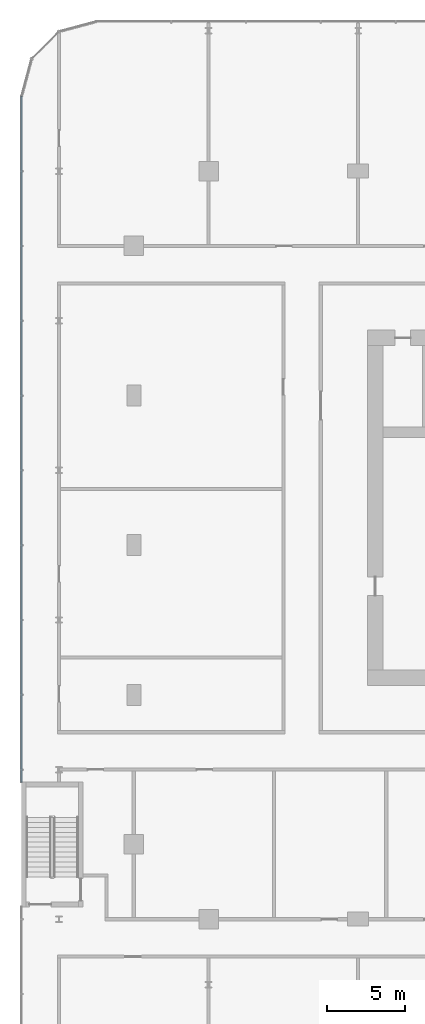
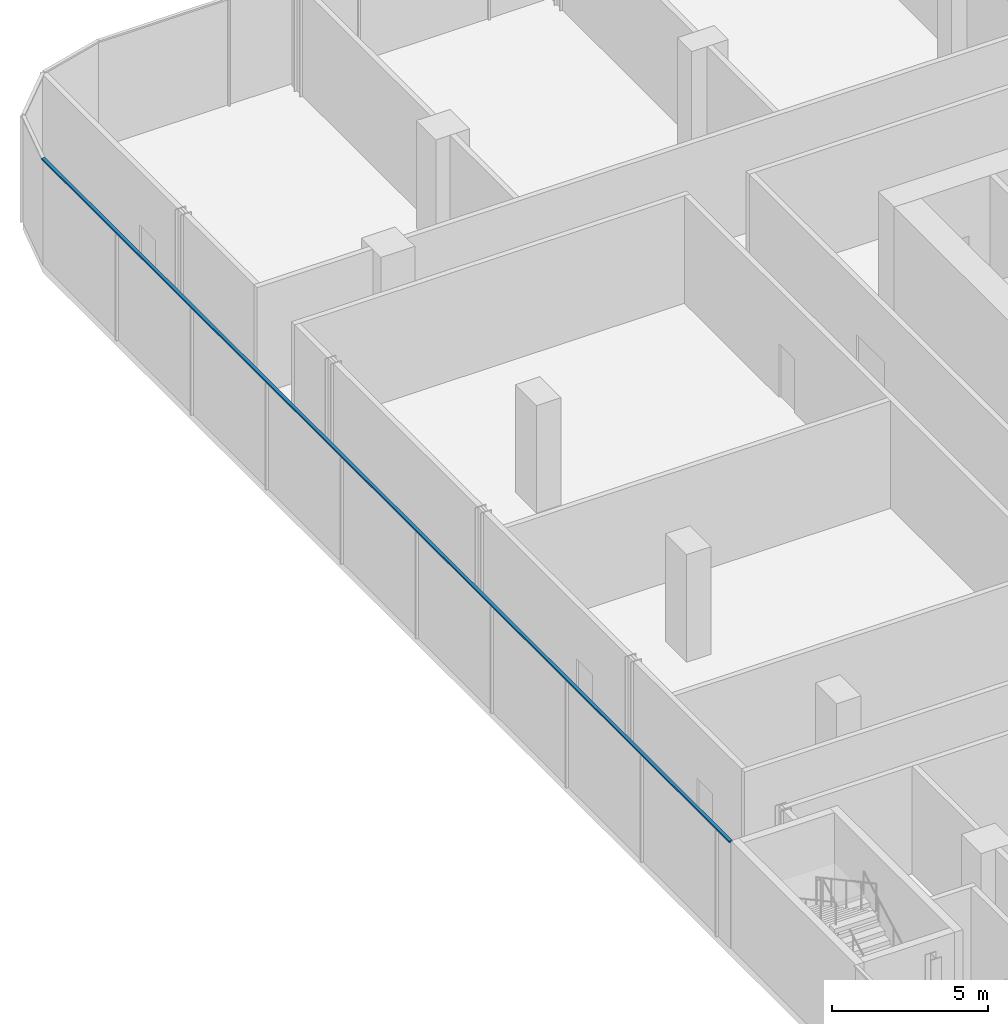
# One storey, part 11 of 38: 1 member, 1 element without a shape of its own.
"""IFC4 building model written with IfcOpenShell, lengths in metres."""

from ifc_helpers import new_model, si_unit, direction, frame, origin, origin_2d, place, context, subcontext, project, spatial, rectangle, extrude, material, layer, layer_set, material_profile, profile_set, type_object, element, aggregate, save


model = new_model("IFC4")

# Units and contexts
model_context = context("Model", 3, precision=1e-05, world=origin(), true_north=direction((0.0, 1.0)))
body_context = subcontext(model_context, "Body", "Model", "MODEL_VIEW")
ifc_project = project(units=[si_unit("LENGTHUNIT", "METRE"), si_unit("AREAUNIT", "SQUARE_METRE"), si_unit("VOLUMEUNIT", "CUBIC_METRE"), si_unit("PLANEANGLEUNIT", "RADIAN"), si_unit("MASSUNIT", "GRAM", prefix="KILO")], contexts=[model_context])

# Site, building, storey
site_placement = place(None, origin())
site = spatial("IfcSite", under=ifc_project, at=site_placement, CompositionType="ELEMENT")
building_placement = place(site_placement, origin())
building = spatial("IfcBuilding", under=site, at=building_placement, Name="Madar Terraces", CompositionType="ELEMENT")
storey_placement = place(building_placement, frame((0.0, 0.0, 15.0)))
storey = spatial("IfcBuildingStorey", under=building, at=storey_placement, Name="L03", CompositionType="ELEMENT", Elevation=15.0)

# Curtain wall, member
ifc_material_1 = material(Name="Glass, clear low-iron, with black aluminium frame", Category="aluminium")
ifc_layer = layer(ifc_material_1, 0.199951171875)
ifc_layer_set = layer_set([ifc_layer], Name="Facade curtain wall, shopfront glazing")
curtain_wall_type = type_object("IfcCurtainWallType", Name="Facade curtain wall, shopfront glazing", PredefinedType="NOTDEFINED", material=ifc_layer_set)
curtain_wall_placement = place(storey_placement, origin())
curtain_wall = element("IfcCurtainWall", 1, at=curtain_wall_placement, inside=storey, type_object=curtain_wall_type, Name="Outer skin curtain wall west bay 1", PredefinedType="NOTDEFINED")
ifc_material_2 = material(Name="Aluminium, black anodised", Category="aluminium")
ifc_material_profile = material_profile(ifc_material_2, rectangle(XDim=0.1201171875, YDim=0.06005859375, at=origin_2d()), Name="Facade transom 60x120")
ifc_profile_set = profile_set([ifc_material_profile], Name="Aluminium, black anodised")
member_type = type_object("IfcMemberType", Name="Facade transom 60x120", PredefinedType="USERDEFINED", material=ifc_profile_set)
member_placement = place(storey_placement, frame((-7.199951171875, 52.800048828125, 4.169921875), z_axis=(0.0, -1.0, 0.0), x_axis=(1.0, 0.0, 0.0)))
member = element("IfcMember", 2, at=member_placement, type_object=member_type, Name="Transom 1", ObjectType="TRANSOM", PredefinedType="USERDEFINED", context=body_context, shape_type="SweptSolid", body=[
    extrude(rectangle(XDim=0.1201171875, YDim=0.06005859375, at=origin_2d()), origin(), (0.0, 0.0, 1.0), 44.0),
])
aggregate(curtain_wall, [member])

save(model, "model.ifc")
